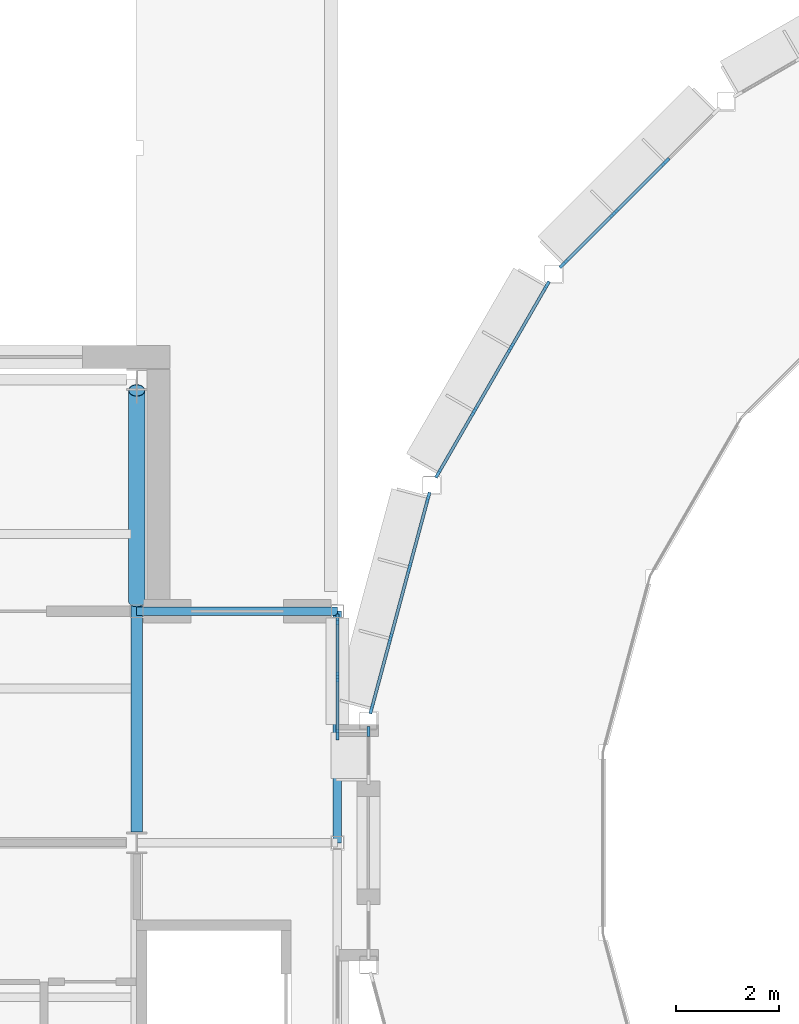
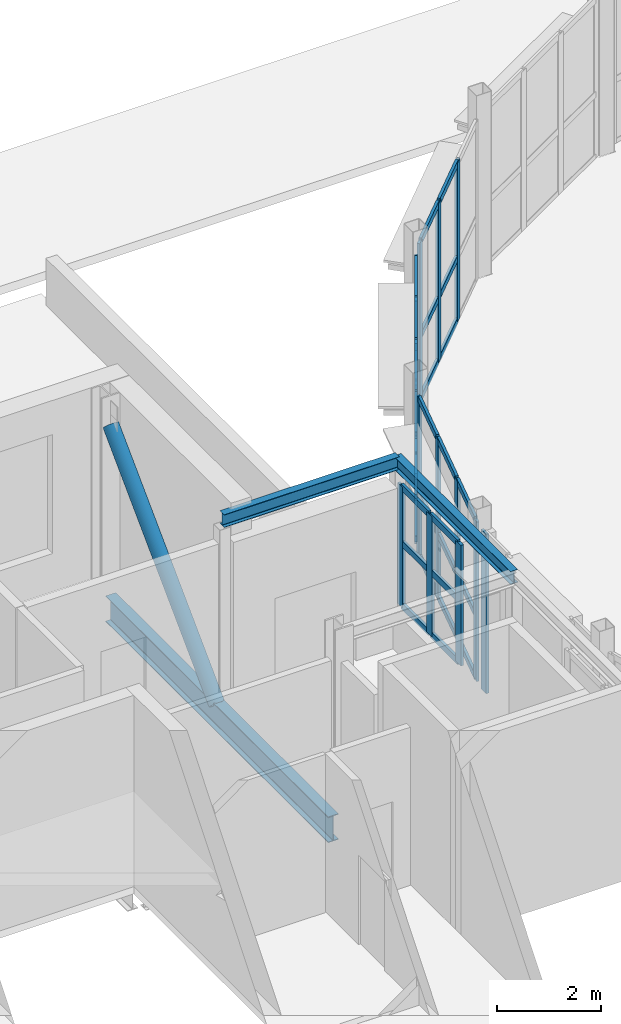
# One storey, part 15 of 74: 46 members, 3 beams, 5 elements without a shape of their own.
"""IFC4 building model written with IfcOpenShell, lengths in metres."""

from ifc_helpers import new_model, si_unit, direction, frame, origin, origin_2d, place, context, subcontext, project, spatial, rectangle, hollow_circle, i_section, extrude, material, layer, layer_set, material_profile, profile_set, type_object, element, aggregate, save


model = new_model("IFC4")

# Units and contexts
model_context = context("Model", 3, precision=1e-05, world=origin(), true_north=direction((0.0, 1.0)))
body_context = subcontext(model_context, "Body", "Model", "MODEL_VIEW")
ifc_project = project(units=[si_unit("LENGTHUNIT", "METRE"), si_unit("AREAUNIT", "SQUARE_METRE"), si_unit("VOLUMEUNIT", "CUBIC_METRE"), si_unit("PLANEANGLEUNIT", "RADIAN"), si_unit("MASSUNIT", "GRAM", prefix="KILO")], contexts=[model_context])

# Site, building, storey
site_placement = place(None, origin())
site = spatial("IfcSite", under=ifc_project, at=site_placement, CompositionType="ELEMENT")
building_placement = place(site_placement, origin())
building = spatial("IfcBuilding", under=site, at=building_placement, Name="Hortulan Conservatory and Botanical Research Centre", CompositionType="ELEMENT")
storey_placement = place(building_placement, frame((0.0, 0.0, 6.0)))
storey = spatial("IfcBuildingStorey", under=building, at=storey_placement, Name="L01", CompositionType="ELEMENT", Elevation=6.0)

# Member
ifc_material_1 = material(Name="Steel Grade C350L0 (350 MPa, AS/NZS 1163)", Category="steel")
ifc_material_profile_1 = material_profile(ifc_material_1, hollow_circle(Radius=0.161865234375, WallThickness=0.009521484375, at=origin_2d()), Name="323.9x9.5CHS")
ifc_profile_set_1 = profile_set([ifc_material_profile_1], Name="Steel Grade C350L0 (350 MPa, AS/NZS 1163)")
member_type_1 = type_object("IfcMemberType", Name="Brace 323.9x9.5CHS", PredefinedType="BRACE", material=ifc_profile_set_1)
member_1_placement = place(storey_placement, frame((31.5, 22.699951171875, -0.2734375), z_axis=(0.0, 0.707127890427, 0.707085671316), x_axis=(-1.0, 0.0, 0.0)))
element("IfcMember", 1, at=member_1_placement, inside=storey, type_object=member_type_1, Name="323.9x9.5CHS brace", PredefinedType="BRACE", context=body_context, shape_type="SweptSolid", body=[
    extrude(hollow_circle(Radius=0.161865234375, WallThickness=0.009521484375, at=origin_2d()), origin(), (0.0, 0.0, 1.0), 5.78271484375),
])

# Curtain wall, members
ifc_material_2 = material(Name="Bronze-finished aluminium", Category="aluminium")
ifc_layer = layer(ifc_material_2, 0.10009765625)
ifc_layer_set = layer_set([ifc_layer], Name="Bronze-framed Curtain Wall 1500 module")
curtain_wall_type = type_object("IfcCurtainWallType", Name="Bronze-framed Curtain Wall 1500 module", PredefinedType="NOTDEFINED", material=ifc_layer_set)
curtain_wall_1_placement = place(storey_placement, origin())
curtain_wall_1 = element("IfcCurtainWall", 2, at=curtain_wall_1_placement, inside=storey, type_object=curtain_wall_type, Name="Curtain wall", PredefinedType="NOTDEFINED")
ifc_material_profile_2 = material_profile(ifc_material_2, rectangle(XDim=0.06005859375, YDim=0.199951171875, at=origin_2d()), Name="Bronze Mullion 60x200")
ifc_profile_set_2 = profile_set([ifc_material_profile_2], Name="Bronze-finished aluminium")
member_type_2 = type_object("IfcMemberType", Name="Bronze Mullion 60x200", PredefinedType="MULLION", material=ifc_profile_set_2)
member_2_placement = place(storey_placement, frame((39.792236328125, 29.248046875, 0.0), z_axis=(0.0, 0.0, 1.0), x_axis=(-0.707118558159, 0.707095004018, 0.0)))
member_2 = element("IfcMember", 3, at=member_2_placement, type_object=member_type_2, Name="CW1 mullion 1", PredefinedType="MULLION", context=body_context, shape_type="SweptSolid", body=[
    extrude(rectangle(XDim=0.06005859375, YDim=0.199951171875, at=origin_2d()), origin(), (0.0, 0.0, 1.0), 3.75),
])
member_3_placement = place(storey_placement, frame((40.771728515625, 30.2275390625, 0.0), z_axis=(0.0, 0.0, 1.0), x_axis=(-0.707118558159, 0.707095004018, 0.0)))
member_3 = element("IfcMember", 4, at=member_3_placement, type_object=member_type_2, Name="CW1 mullion 2", PredefinedType="MULLION", context=body_context, shape_type="SweptSolid", body=[
    extrude(rectangle(XDim=0.06005859375, YDim=0.199951171875, at=origin_2d()), origin(), (0.0, 0.0, 1.0), 3.75),
])
member_4_placement = place(storey_placement, frame((41.7724609375, 31.228271484375, 0.0), z_axis=(0.0, 0.0, 1.0), x_axis=(-0.707118558159, 0.707095004018, 0.0)))
member_4 = element("IfcMember", 5, at=member_4_placement, type_object=member_type_2, Name="CW1 mullion 3", PredefinedType="MULLION", context=body_context, shape_type="SweptSolid", body=[
    extrude(rectangle(XDim=0.06005859375, YDim=0.199951171875, at=origin_2d()), origin(), (0.0, 0.0, 1.0), 3.75),
])

curtain_wall_2_placement = place(storey_placement, origin())
curtain_wall_2 = element("IfcCurtainWall", 6, at=curtain_wall_2_placement, inside=storey, type_object=curtain_wall_type, Name="Curtain wall", PredefinedType="NOTDEFINED")
member_5_placement = place(storey_placement, frame((37.361328125, 25.18115234375, 0.0), z_axis=(0.0, 0.0, 1.0), x_axis=(-0.866036280655, 0.499981160235, 0.0)))
member_5 = element("IfcMember", 7, at=member_5_placement, type_object=member_type_2, Name="CW1 mullion 1", PredefinedType="MULLION", context=body_context, shape_type="SweptSolid", body=[
    extrude(rectangle(XDim=0.06005859375, YDim=0.199951171875, at=origin_2d()), origin(), (0.0, 0.0, 1.0), 3.75),
])
member_6_placement = place(storey_placement, frame((38.056396484375, 26.385009765625, 0.0), z_axis=(0.0, 0.0, 1.0), x_axis=(-0.866036280655, 0.499981160235, 0.0)))
member_6 = element("IfcMember", 8, at=member_6_placement, type_object=member_type_2, Name="CW1 mullion 2", PredefinedType="MULLION", context=body_context, shape_type="SweptSolid", body=[
    extrude(rectangle(XDim=0.06005859375, YDim=0.199951171875, at=origin_2d()), origin(), (0.0, 0.0, 1.0), 3.75),
])
member_7_placement = place(storey_placement, frame((38.7666015625, 27.614990234375, 0.0), z_axis=(0.0, 0.0, 1.0), x_axis=(-0.866036280655, 0.499981160235, 0.0)))
member_7 = element("IfcMember", 9, at=member_7_placement, type_object=member_type_2, Name="CW1 mullion 3", PredefinedType="MULLION", context=body_context, shape_type="SweptSolid", body=[
    extrude(rectangle(XDim=0.06005859375, YDim=0.199951171875, at=origin_2d()), origin(), (0.0, 0.0, 1.0), 3.75),
])
member_8_placement = place(storey_placement, frame((39.461669921875, 28.81884765625, 0.0), z_axis=(0.0, 0.0, 1.0), x_axis=(-0.866036280655, 0.499981160235, 0.0)))
member_8 = element("IfcMember", 10, at=member_8_placement, type_object=member_type_2, Name="CW1 mullion 4", PredefinedType="MULLION", context=body_context, shape_type="SweptSolid", body=[
    extrude(rectangle(XDim=0.06005859375, YDim=0.199951171875, at=origin_2d()), origin(), (0.0, 0.0, 1.0), 3.75),
])

curtain_wall_3_placement = place(storey_placement, origin())
curtain_wall_3 = element("IfcCurtainWall", 11, at=curtain_wall_3_placement, inside=storey, type_object=curtain_wall_type, Name="Curtain wall", PredefinedType="NOTDEFINED")
member_9_placement = place(storey_placement, frame((36.063232421875, 20.60595703125, 0.0), z_axis=(0.0, 0.0, 1.0), x_axis=(-0.965922372015, 0.258831936284, 0.0)))
member_9 = element("IfcMember", 12, at=member_9_placement, type_object=member_type_2, Name="CW1 mullion 1", PredefinedType="MULLION", context=body_context, shape_type="SweptSolid", body=[
    extrude(rectangle(XDim=0.06005859375, YDim=0.199951171875, at=origin_2d()), origin(), (0.0, 0.0, 1.0), 3.75),
])
member_10_placement = place(storey_placement, frame((36.427490234375, 21.965087890625, 0.0), z_axis=(0.0, 0.0, 1.0), x_axis=(-0.965922372015, 0.258831936284, 0.0)))
member_10 = element("IfcMember", 13, at=member_10_placement, type_object=member_type_2, Name="CW1 mullion 2", PredefinedType="MULLION", context=body_context, shape_type="SweptSolid", body=[
    extrude(rectangle(XDim=0.06005859375, YDim=0.199951171875, at=origin_2d()), origin(), (0.0, 0.0, 1.0), 3.75),
])
member_11_placement = place(storey_placement, frame((36.79931640625, 23.35302734375, 0.0), z_axis=(0.0, 0.0, 1.0), x_axis=(-0.965922372015, 0.258831936284, 0.0)))
member_11 = element("IfcMember", 14, at=member_11_placement, type_object=member_type_2, Name="CW1 mullion 3", PredefinedType="MULLION", context=body_context, shape_type="SweptSolid", body=[
    extrude(rectangle(XDim=0.06005859375, YDim=0.199951171875, at=origin_2d()), origin(), (0.0, 0.0, 1.0), 3.75),
])
member_12_placement = place(storey_placement, frame((37.16357421875, 24.7119140625, 0.0), z_axis=(0.0, 0.0, 1.0), x_axis=(-0.965922372015, 0.258831936284, 0.0)))
member_12 = element("IfcMember", 15, at=member_12_placement, type_object=member_type_2, Name="CW1 mullion 4", PredefinedType="MULLION", context=body_context, shape_type="SweptSolid", body=[
    extrude(rectangle(XDim=0.06005859375, YDim=0.199951171875, at=origin_2d()), origin(), (0.0, 0.0, 1.0), 3.75),
])

# Curtain wall, member
curtain_wall_4_placement = place(storey_placement, origin())
curtain_wall_4 = element("IfcCurtainWall", 16, at=curtain_wall_4_placement, inside=storey, type_object=curtain_wall_type, Name="Curtain wall", PredefinedType="NOTDEFINED")
member_13_placement = place(storey_placement, frame((36.0, 20.1650390625, 0.0), z_axis=(0.0, 0.0, 1.0), x_axis=(-1.0, 0.0, 0.0)))
member_13 = element("IfcMember", 17, at=member_13_placement, type_object=member_type_2, Name="CW1 mullion 2", PredefinedType="MULLION", context=body_context, shape_type="SweptSolid", body=[
    extrude(rectangle(XDim=0.06005859375, YDim=0.199951171875, at=origin_2d()), origin(), (0.0, 0.0, 1.0), 3.75),
])
aggregate(curtain_wall_4, [member_13])

# Curtain wall, members
curtain_wall_5_placement = place(storey_placement, origin())
curtain_wall_5 = element("IfcCurtainWall", 18, at=curtain_wall_5_placement, inside=storey, type_object=curtain_wall_type, Name="Curtain wall", PredefinedType="NOTDEFINED")
member_14_placement = place(storey_placement, frame((35.39990234375, 22.344970703125, 0.89990234375), z_axis=(0.0, 0.0, 1.0), x_axis=(1.0, 0.0, 0.0)))
member_14 = element("IfcMember", 19, at=member_14_placement, type_object=member_type_2, Name="CW1 mullion 1", PredefinedType="MULLION", context=body_context, shape_type="SweptSolid", body=[
    extrude(rectangle(XDim=0.06005859375, YDim=0.199951171875, at=origin_2d()), origin(), (0.0, 0.0, 1.0), 2.840087890625),
])
member_15_placement = place(storey_placement, frame((35.39990234375, 21.222412109375, 0.89990234375), z_axis=(0.0, 0.0, 1.0), x_axis=(1.0, 0.0, 0.0)))
member_15 = element("IfcMember", 20, at=member_15_placement, type_object=member_type_2, Name="CW1 mullion 2", PredefinedType="MULLION", context=body_context, shape_type="SweptSolid", body=[
    extrude(rectangle(XDim=0.06005859375, YDim=0.199951171875, at=origin_2d()), origin(), (0.0, 0.0, 1.0), 2.840087890625),
])
member_16_placement = place(storey_placement, frame((35.39990234375, 20.099609375, 0.89990234375), z_axis=(0.0, 0.0, 1.0), x_axis=(1.0, 0.0, 0.0)))
member_16 = element("IfcMember", 21, at=member_16_placement, type_object=member_type_2, Name="CW1 mullion 3", PredefinedType="MULLION", context=body_context, shape_type="SweptSolid", body=[
    extrude(rectangle(XDim=0.06005859375, YDim=0.199951171875, at=origin_2d()), origin(), (0.0, 0.0, 1.0), 2.840087890625),
])

# Member
ifc_material_profile_3 = material_profile(ifc_material_2, rectangle(XDim=0.06005859375, YDim=0.14990234375, at=origin_2d()), Name="Bronze Transom 60x150")
ifc_profile_set_3 = profile_set([ifc_material_profile_3], Name="Bronze-finished aluminium")
member_type_3 = type_object("IfcMemberType", Name="Bronze Transom 60x150", PredefinedType="USERDEFINED", material=ifc_profile_set_3)
member_17_placement = place(storey_placement, frame((39.8134765625, 29.269287109375, 0.030029296875), z_axis=(0.707106781187, 0.707106781187, 0.0), x_axis=(-0.707106781187, 0.707106781187, 0.0)))
member_17 = element("IfcMember", 22, at=member_17_placement, type_object=member_type_3, Name="CW1 transom 1.1", ObjectType="TRANSOM", PredefinedType="USERDEFINED", context=body_context, shape_type="SweptSolid", body=[
    extrude(rectangle(XDim=0.06005859375, YDim=0.14990234375, at=origin_2d()), origin(), (0.0, 0.0, 1.0), 1.3251953125),
])

member_18_placement = place(storey_placement, frame((39.8134765625, 29.269287109375, 1.5), z_axis=(0.707106781187, 0.707106781187, 0.0), x_axis=(-0.707106781187, 0.707106781187, 0.0)))
member_18 = element("IfcMember", 23, at=member_18_placement, type_object=member_type_3, Name="CW1 transom 1.2", ObjectType="TRANSOM", PredefinedType="USERDEFINED", context=body_context, shape_type="SweptSolid", body=[
    extrude(rectangle(XDim=0.06005859375, YDim=0.14990234375, at=origin_2d()), origin(), (0.0, 0.0, 1.0), 1.3251953125),
])

member_19_placement = place(storey_placement, frame((39.8134765625, 29.269287109375, 3.719970703125), z_axis=(0.707106781187, 0.707106781187, 0.0), x_axis=(-0.707106781187, 0.707106781187, 0.0)))
member_19 = element("IfcMember", 24, at=member_19_placement, type_object=member_type_3, Name="CW1 transom 1.3", ObjectType="TRANSOM", PredefinedType="USERDEFINED", context=body_context, shape_type="SweptSolid", body=[
    extrude(rectangle(XDim=0.06005859375, YDim=0.14990234375, at=origin_2d()), origin(), (0.0, 0.0, 1.0), 1.3251953125),
])

member_20_placement = place(storey_placement, frame((40.79296875, 30.248779296875, 0.030029296875), z_axis=(0.707106781187, 0.707106781187, 0.0), x_axis=(-0.707106781187, 0.707106781187, 0.0)))
member_20 = element("IfcMember", 25, at=member_20_placement, type_object=member_type_3, Name="CW1 transom 2.1", ObjectType="TRANSOM", PredefinedType="USERDEFINED", context=body_context, shape_type="SweptSolid", body=[
    extrude(rectangle(XDim=0.06005859375, YDim=0.14990234375, at=origin_2d()), origin(), (0.0, 0.0, 1.0), 1.355224609375),
])

member_21_placement = place(storey_placement, frame((40.79296875, 30.248779296875, 1.5), z_axis=(0.707106781187, 0.707106781187, 0.0), x_axis=(-0.707106781187, 0.707106781187, 0.0)))
member_21 = element("IfcMember", 26, at=member_21_placement, type_object=member_type_3, Name="CW1 transom 2.2", ObjectType="TRANSOM", PredefinedType="USERDEFINED", context=body_context, shape_type="SweptSolid", body=[
    extrude(rectangle(XDim=0.06005859375, YDim=0.14990234375, at=origin_2d()), origin(), (0.0, 0.0, 1.0), 1.355224609375),
])

member_22_placement = place(storey_placement, frame((40.79296875, 30.248779296875, 3.719970703125), z_axis=(0.707106781187, 0.707106781187, 0.0), x_axis=(-0.707106781187, 0.707106781187, 0.0)))
member_22 = element("IfcMember", 27, at=member_22_placement, type_object=member_type_3, Name="CW1 transom 2.3", ObjectType="TRANSOM", PredefinedType="USERDEFINED", context=body_context, shape_type="SweptSolid", body=[
    extrude(rectangle(XDim=0.06005859375, YDim=0.14990234375, at=origin_2d()), origin(), (0.0, 0.0, 1.0), 1.355224609375),
])

aggregate(curtain_wall_1, [member_2, member_3, member_4, member_17, member_18, member_19, member_20, member_21, member_22])

member_23_placement = place(storey_placement, frame((37.37646484375, 25.20703125, 0.030029296875), z_axis=(0.499928984136, 0.866066400931, 0.0), x_axis=(-0.866066400931, 0.499928984136, 0.0)))
member_23 = element("IfcMember", 28, at=member_23_placement, type_object=member_type_3, Name="CW1 transom 1.1", ObjectType="TRANSOM", PredefinedType="USERDEFINED", context=body_context, shape_type="SweptSolid", body=[
    extrude(rectangle(XDim=0.06005859375, YDim=0.14990234375, at=origin_2d()), origin(), (0.0, 0.0, 1.0), 1.330322265625),
])

member_24_placement = place(storey_placement, frame((37.37646484375, 25.20703125, 1.5), z_axis=(0.499928984136, 0.866066400931, 0.0), x_axis=(-0.866066400931, 0.499928984136, 0.0)))
member_24 = element("IfcMember", 29, at=member_24_placement, type_object=member_type_3, Name="CW1 transom 1.2", ObjectType="TRANSOM", PredefinedType="USERDEFINED", context=body_context, shape_type="SweptSolid", body=[
    extrude(rectangle(XDim=0.06005859375, YDim=0.14990234375, at=origin_2d()), origin(), (0.0, 0.0, 1.0), 1.330322265625),
])

member_25_placement = place(storey_placement, frame((37.37646484375, 25.20703125, 3.719970703125), z_axis=(0.499928984136, 0.866066400931, 0.0), x_axis=(-0.866066400931, 0.499928984136, 0.0)))
member_25 = element("IfcMember", 30, at=member_25_placement, type_object=member_type_3, Name="CW1 transom 1.3", ObjectType="TRANSOM", PredefinedType="USERDEFINED", context=body_context, shape_type="SweptSolid", body=[
    extrude(rectangle(XDim=0.06005859375, YDim=0.14990234375, at=origin_2d()), origin(), (0.0, 0.0, 1.0), 1.330322265625),
])

member_26_placement = place(storey_placement, frame((38.071533203125, 26.4111328125, 0.030029296875), z_axis=(0.499981459473, 0.866036107898, 0.0), x_axis=(-0.866036107898, 0.499981459473, 0.0)))
member_26 = element("IfcMember", 31, at=member_26_placement, type_object=member_type_3, Name="CW1 transom 2.1", ObjectType="TRANSOM", PredefinedType="USERDEFINED", context=body_context, shape_type="SweptSolid", body=[
    extrude(rectangle(XDim=0.06005859375, YDim=0.14990234375, at=origin_2d()), origin(), (0.0, 0.0, 1.0), 1.35986328125),
])

member_27_placement = place(storey_placement, frame((38.071533203125, 26.4111328125, 1.5), z_axis=(0.499981459473, 0.866036107898, 0.0), x_axis=(-0.866036107898, 0.499981459473, 0.0)))
member_27 = element("IfcMember", 32, at=member_27_placement, type_object=member_type_3, Name="CW1 transom 2.2", ObjectType="TRANSOM", PredefinedType="USERDEFINED", context=body_context, shape_type="SweptSolid", body=[
    extrude(rectangle(XDim=0.06005859375, YDim=0.14990234375, at=origin_2d()), origin(), (0.0, 0.0, 1.0), 1.35986328125),
])

member_28_placement = place(storey_placement, frame((38.071533203125, 26.4111328125, 3.719970703125), z_axis=(0.499981459473, 0.866036107898, 0.0), x_axis=(-0.866036107898, 0.499981459473, 0.0)))
member_28 = element("IfcMember", 33, at=member_28_placement, type_object=member_type_3, Name="CW1 transom 2.3", ObjectType="TRANSOM", PredefinedType="USERDEFINED", context=body_context, shape_type="SweptSolid", body=[
    extrude(rectangle(XDim=0.06005859375, YDim=0.14990234375, at=origin_2d()), origin(), (0.0, 0.0, 1.0), 1.35986328125),
])

member_29_placement = place(storey_placement, frame((38.781494140625, 27.640869140625, 0.030029296875), z_axis=(0.499928984136, 0.866066400931, 0.0), x_axis=(-0.866066400931, 0.499928984136, 0.0)))
member_29 = element("IfcMember", 34, at=member_29_placement, type_object=member_type_3, Name="CW1 transom 3.1", ObjectType="TRANSOM", PredefinedType="USERDEFINED", context=body_context, shape_type="SweptSolid", body=[
    extrude(rectangle(XDim=0.06005859375, YDim=0.14990234375, at=origin_2d()), origin(), (0.0, 0.0, 1.0), 1.330322265625),
])

member_30_placement = place(storey_placement, frame((38.781494140625, 27.640869140625, 1.5), z_axis=(0.499928984136, 0.866066400931, 0.0), x_axis=(-0.866066400931, 0.499928984136, 0.0)))
member_30 = element("IfcMember", 35, at=member_30_placement, type_object=member_type_3, Name="CW1 transom 3.2", ObjectType="TRANSOM", PredefinedType="USERDEFINED", context=body_context, shape_type="SweptSolid", body=[
    extrude(rectangle(XDim=0.06005859375, YDim=0.14990234375, at=origin_2d()), origin(), (0.0, 0.0, 1.0), 1.330322265625),
])

member_31_placement = place(storey_placement, frame((38.781494140625, 27.640869140625, 3.719970703125), z_axis=(0.499928984136, 0.866066400931, 0.0), x_axis=(-0.866066400931, 0.499928984136, 0.0)))
member_31 = element("IfcMember", 36, at=member_31_placement, type_object=member_type_3, Name="CW1 transom 3.3", ObjectType="TRANSOM", PredefinedType="USERDEFINED", context=body_context, shape_type="SweptSolid", body=[
    extrude(rectangle(XDim=0.06005859375, YDim=0.14990234375, at=origin_2d()), origin(), (0.0, 0.0, 1.0), 1.330322265625),
])

aggregate(curtain_wall_2, [member_5, member_6, member_7, member_8, member_23, member_24, member_25, member_26, member_27, member_28, member_29, member_30, member_31])

member_32_placement = place(storey_placement, frame((36.071044921875, 20.635009765625, 0.030029296875), z_axis=(0.258835745824, 0.965921351189, 0.0), x_axis=(-0.965921351189, 0.258835745824, 0.0)))
member_32 = element("IfcMember", 37, at=member_32_placement, type_object=member_type_3, Name="CW1 transom 1.1", ObjectType="TRANSOM", PredefinedType="USERDEFINED", context=body_context, shape_type="SweptSolid", body=[
    extrude(rectangle(XDim=0.06005859375, YDim=0.14990234375, at=origin_2d()), origin(), (0.0, 0.0, 1.0), 1.346923828125),
])

member_33_placement = place(storey_placement, frame((36.071044921875, 20.635009765625, 1.5), z_axis=(0.258835745824, 0.965921351189, 0.0), x_axis=(-0.965921351189, 0.258835745824, 0.0)))
member_33 = element("IfcMember", 38, at=member_33_placement, type_object=member_type_3, Name="CW1 transom 1.2", ObjectType="TRANSOM", PredefinedType="USERDEFINED", context=body_context, shape_type="SweptSolid", body=[
    extrude(rectangle(XDim=0.06005859375, YDim=0.14990234375, at=origin_2d()), origin(), (0.0, 0.0, 1.0), 1.346923828125),
])

member_34_placement = place(storey_placement, frame((36.071044921875, 20.635009765625, 3.719970703125), z_axis=(0.258835745824, 0.965921351189, 0.0), x_axis=(-0.965921351189, 0.258835745824, 0.0)))
member_34 = element("IfcMember", 39, at=member_34_placement, type_object=member_type_3, Name="CW1 transom 1.3", ObjectType="TRANSOM", PredefinedType="USERDEFINED", context=body_context, shape_type="SweptSolid", body=[
    extrude(rectangle(XDim=0.06005859375, YDim=0.14990234375, at=origin_2d()), origin(), (0.0, 0.0, 1.0), 1.346923828125),
])

member_35_placement = place(storey_placement, frame((36.435302734375, 21.993896484375, 0.030029296875), z_axis=(0.258688817498, 0.965960711262, 0.0), x_axis=(-0.965960711262, 0.258688817498, 0.0)))
member_35 = element("IfcMember", 40, at=member_35_placement, type_object=member_type_3, Name="CW1 transom 2.1", ObjectType="TRANSOM", PredefinedType="USERDEFINED", context=body_context, shape_type="SweptSolid", body=[
    extrude(rectangle(XDim=0.06005859375, YDim=0.14990234375, at=origin_2d()), origin(), (0.0, 0.0, 1.0), 1.376953125),
])

member_36_placement = place(storey_placement, frame((36.435302734375, 21.993896484375, 1.5), z_axis=(0.258688817498, 0.965960711262, 0.0), x_axis=(-0.965960711262, 0.258688817498, 0.0)))
member_36 = element("IfcMember", 41, at=member_36_placement, type_object=member_type_3, Name="CW1 transom 2.2", ObjectType="TRANSOM", PredefinedType="USERDEFINED", context=body_context, shape_type="SweptSolid", body=[
    extrude(rectangle(XDim=0.06005859375, YDim=0.14990234375, at=origin_2d()), origin(), (0.0, 0.0, 1.0), 1.376953125),
])

member_37_placement = place(storey_placement, frame((36.435302734375, 21.993896484375, 3.719970703125), z_axis=(0.258688817498, 0.965960711262, 0.0), x_axis=(-0.965960711262, 0.258688817498, 0.0)))
member_37 = element("IfcMember", 42, at=member_37_placement, type_object=member_type_3, Name="CW1 transom 2.3", ObjectType="TRANSOM", PredefinedType="USERDEFINED", context=body_context, shape_type="SweptSolid", body=[
    extrude(rectangle(XDim=0.06005859375, YDim=0.14990234375, at=origin_2d()), origin(), (0.0, 0.0, 1.0), 1.376953125),
])

member_38_placement = place(storey_placement, frame((36.80712890625, 23.382080078125, 0.030029296875), z_axis=(0.258835745824, 0.965921351189, 0.0), x_axis=(-0.965921351189, 0.258835745824, 0.0)))
member_38 = element("IfcMember", 43, at=member_38_placement, type_object=member_type_3, Name="CW1 transom 3.1", ObjectType="TRANSOM", PredefinedType="USERDEFINED", context=body_context, shape_type="SweptSolid", body=[
    extrude(rectangle(XDim=0.06005859375, YDim=0.14990234375, at=origin_2d()), origin(), (0.0, 0.0, 1.0), 1.346923828125),
])

member_39_placement = place(storey_placement, frame((36.80712890625, 23.382080078125, 1.5), z_axis=(0.258835745824, 0.965921351189, 0.0), x_axis=(-0.965921351189, 0.258835745824, 0.0)))
member_39 = element("IfcMember", 44, at=member_39_placement, type_object=member_type_3, Name="CW1 transom 3.2", ObjectType="TRANSOM", PredefinedType="USERDEFINED", context=body_context, shape_type="SweptSolid", body=[
    extrude(rectangle(XDim=0.06005859375, YDim=0.14990234375, at=origin_2d()), origin(), (0.0, 0.0, 1.0), 1.346923828125),
])

member_40_placement = place(storey_placement, frame((36.80712890625, 23.382080078125, 3.719970703125), z_axis=(0.258835745824, 0.965921351189, 0.0), x_axis=(-0.965921351189, 0.258835745824, 0.0)))
member_40 = element("IfcMember", 45, at=member_40_placement, type_object=member_type_3, Name="CW1 transom 3.3", ObjectType="TRANSOM", PredefinedType="USERDEFINED", context=body_context, shape_type="SweptSolid", body=[
    extrude(rectangle(XDim=0.06005859375, YDim=0.14990234375, at=origin_2d()), origin(), (0.0, 0.0, 1.0), 1.346923828125),
])

aggregate(curtain_wall_3, [member_9, member_10, member_11, member_12, member_32, member_33, member_34, member_35, member_36, member_37, member_38, member_39, member_40])

member_41_placement = place(storey_placement, frame((35.39990234375, 22.31494140625, 0.929931640625), z_axis=(0.0, -1.0, 0.0), x_axis=(1.0, 0.0, 0.0)))
member_41 = element("IfcMember", 46, at=member_41_placement, type_object=member_type_3, Name="CW1 transom 1.1", ObjectType="TRANSOM", PredefinedType="USERDEFINED", context=body_context, shape_type="SweptSolid", body=[
    extrude(rectangle(XDim=0.06005859375, YDim=0.14990234375, at=origin_2d()), origin(), (0.0, 0.0, 1.0), 1.0625),
])

member_42_placement = place(storey_placement, frame((35.39990234375, 22.31494140625, 2.39990234375), z_axis=(0.0, -1.0, 0.0), x_axis=(1.0, 0.0, 0.0)))
member_42 = element("IfcMember", 47, at=member_42_placement, type_object=member_type_3, Name="CW1 transom 1.2", ObjectType="TRANSOM", PredefinedType="USERDEFINED", context=body_context, shape_type="SweptSolid", body=[
    extrude(rectangle(XDim=0.06005859375, YDim=0.14990234375, at=origin_2d()), origin(), (0.0, 0.0, 1.0), 1.0625),
])

member_43_placement = place(storey_placement, frame((35.39990234375, 22.31494140625, 3.7099609375), z_axis=(0.0, -1.0, 0.0), x_axis=(1.0, 0.0, 0.0)))
member_43 = element("IfcMember", 48, at=member_43_placement, type_object=member_type_3, Name="CW1 transom 1.3", ObjectType="TRANSOM", PredefinedType="USERDEFINED", context=body_context, shape_type="SweptSolid", body=[
    extrude(rectangle(XDim=0.06005859375, YDim=0.14990234375, at=origin_2d()), origin(), (0.0, 0.0, 1.0), 1.0625),
])

member_44_placement = place(storey_placement, frame((35.39990234375, 21.1923828125, 0.929931640625), z_axis=(0.0, -1.0, 0.0), x_axis=(1.0, 0.0, 0.0)))
member_44 = element("IfcMember", 49, at=member_44_placement, type_object=member_type_3, Name="CW1 transom 2.1", ObjectType="TRANSOM", PredefinedType="USERDEFINED", context=body_context, shape_type="SweptSolid", body=[
    extrude(rectangle(XDim=0.06005859375, YDim=0.14990234375, at=origin_2d()), origin(), (0.0, 0.0, 1.0), 1.062744140625),
])

member_45_placement = place(storey_placement, frame((35.39990234375, 21.1923828125, 2.39990234375), z_axis=(0.0, -1.0, 0.0), x_axis=(1.0, 0.0, 0.0)))
member_45 = element("IfcMember", 50, at=member_45_placement, type_object=member_type_3, Name="CW1 transom 2.2", ObjectType="TRANSOM", PredefinedType="USERDEFINED", context=body_context, shape_type="SweptSolid", body=[
    extrude(rectangle(XDim=0.06005859375, YDim=0.14990234375, at=origin_2d()), origin(), (0.0, 0.0, 1.0), 1.062744140625),
])

member_46_placement = place(storey_placement, frame((35.39990234375, 21.1923828125, 3.7099609375), z_axis=(0.0, -1.0, 0.0), x_axis=(1.0, 0.0, 0.0)))
member_46 = element("IfcMember", 51, at=member_46_placement, type_object=member_type_3, Name="CW1 transom 2.3", ObjectType="TRANSOM", PredefinedType="USERDEFINED", context=body_context, shape_type="SweptSolid", body=[
    extrude(rectangle(XDim=0.06005859375, YDim=0.14990234375, at=origin_2d()), origin(), (0.0, 0.0, 1.0), 1.062744140625),
])

aggregate(curtain_wall_5, [member_14, member_15, member_16, member_41, member_42, member_43, member_44, member_45, member_46])

# Beams
ifc_material_3 = material(Name="Steel Grade 300PLUS (AS/NZS 3679.1, 280 MPa minimum yield)", Category="steel")
ifc_material_profile_4 = material_profile(ifc_material_3, i_section(OverallWidth=0.1650390625, OverallDepth=0.303955078125, WebThickness=0.006103515625, FlangeThickness=0.01025390625, FilletRadius=0.011474609375, at=origin_2d()), Name="310UB40.4")
ifc_profile_set_4 = profile_set([ifc_material_profile_4], Name="Steel Grade 300PLUS (AS/NZS 3679.1, 280 MPa minimum yield)")
beam_type_1 = type_object("IfcBeamType", Name="Head Link Beam 310UB40.4", PredefinedType="BEAM", material=ifc_profile_set_4)
beam_1_placement = place(storey_placement, frame((31.5, 22.5, 4.197998046875), z_axis=(1.0, 0.0, 0.0), x_axis=(0.0, 1.0, 0.0)))
element("IfcBeam", 52, at=beam_1_placement, inside=storey, type_object=beam_type_1, Name="HW roof beam 1", PredefinedType="BEAM", context=body_context, shape_type="SweptSolid", body=[
    extrude(i_section(OverallWidth=0.1650390625, OverallDepth=0.303955078125, WebThickness=0.006103515625, FlangeThickness=0.01025390625, FilletRadius=0.011474609375, at=origin_2d()), origin(), (0.0, 0.0, 1.0), 3.89990234375),
])
beam_2_placement = place(storey_placement, frame((35.39990234375, 18.0, 4.197998046875), z_axis=(0.0, 1.0, 0.0), x_axis=(-1.0, 0.0, 0.0)))
element("IfcBeam", 53, at=beam_2_placement, inside=storey, type_object=beam_type_1, Name="HW roof beam 4", PredefinedType="BEAM", context=body_context, shape_type="SweptSolid", body=[
    extrude(i_section(OverallWidth=0.1650390625, OverallDepth=0.303955078125, WebThickness=0.006103515625, FlangeThickness=0.01025390625, FilletRadius=0.011474609375, at=origin_2d()), origin(), (0.0, 0.0, 1.0), 4.5),
])
ifc_material_profile_5 = material_profile(ifc_material_3, i_section(OverallWidth=0.22802734375, OverallDepth=0.60693359375, WebThickness=0.01123046875, FlangeThickness=0.017333984375, FilletRadius=0.013916015625, at=origin_2d()), Name="610UB113")
ifc_profile_set_5 = profile_set([ifc_material_profile_5], Name="Steel Grade 300PLUS (AS/NZS 3679.1, 280 MPa minimum yield)")
beam_type_2 = type_object("IfcBeamType", Name="Primary Beam 610UB113", PredefinedType="BEAM", material=ifc_profile_set_5)
beam_3_placement = place(storey_placement, frame((31.5, 18.2109375, -0.473388671875), z_axis=(0.0, 1.0, 0.0), x_axis=(-1.0, 0.0, 0.0)))
element("IfcBeam", 54, at=beam_3_placement, inside=storey, type_object=beam_type_2, Name="610UB113 girder", PredefinedType="BEAM", context=body_context, shape_type="SweptSolid", body=[
    extrude(i_section(OverallWidth=0.22802734375, OverallDepth=0.60693359375, WebThickness=0.01123046875, FlangeThickness=0.017333984375, FilletRadius=0.013916015625, at=origin_2d()), origin(), (0.0, 0.0, 1.0), 8.578125),
])

save(model, "model.ifc")
